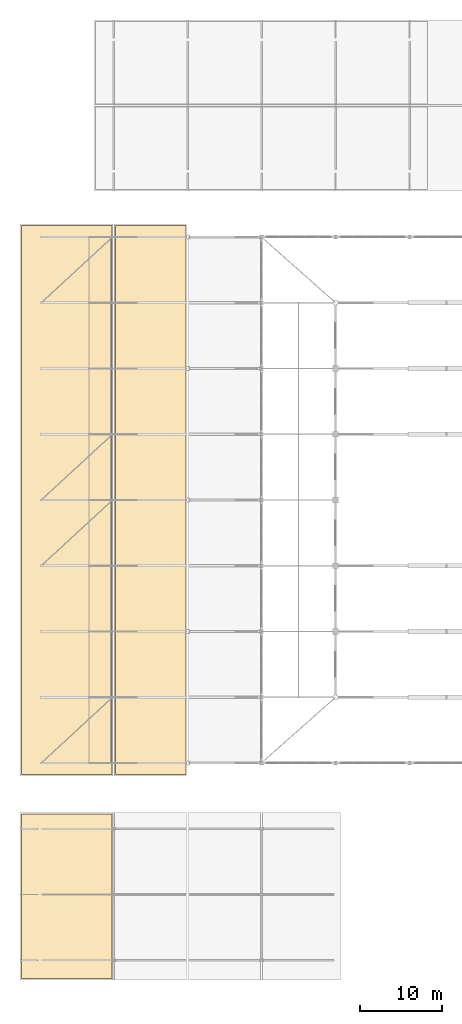
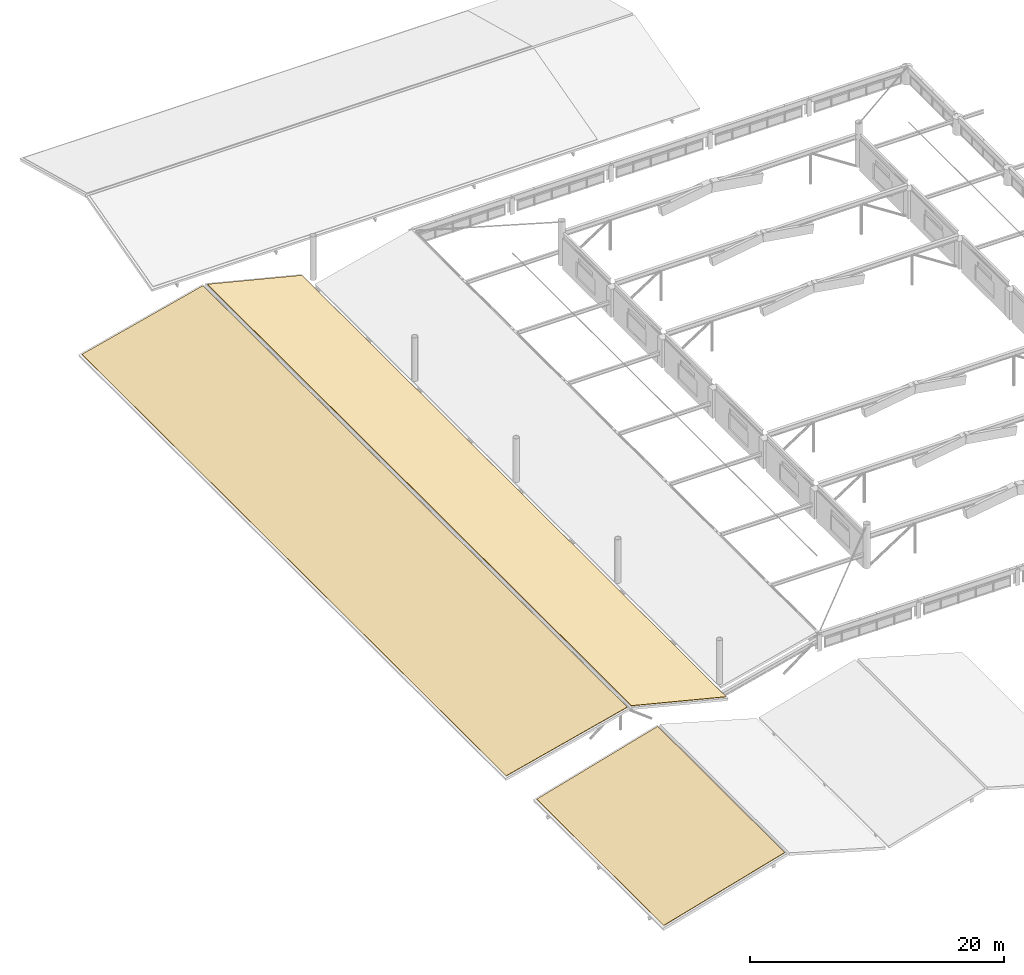
# One storey, part 121 of 128: 3 coverings.
"""IFC4 building model written with IfcOpenShell, lengths in metres."""

from ifc_helpers import new_model, si_unit, derived_unit, direction, frame, origin, place, context, subcontext, project, spatial, polyline, outline, extrude, material, layer, layer_set, type_object, element, save


model = new_model("IFC4")

# Units and contexts
model_context = context("Model", 3, precision=1e-05, world=origin(), true_north=direction((0.0, 1.0)))
body_context = subcontext(model_context, "Body", "Model", "MODEL_VIEW")
ifc_project = project(units=[si_unit("LENGTHUNIT", "METRE"), si_unit("AREAUNIT", "SQUARE_METRE"), si_unit("VOLUMEUNIT", "CUBIC_METRE"), si_unit("PLANEANGLEUNIT", "RADIAN"), si_unit("MASSUNIT", "GRAM", prefix="KILO"), derived_unit("THERMALTRANSMITTANCEUNIT", [(si_unit("MASSUNIT", "GRAM", prefix="KILO"), 1), (si_unit("TIMEUNIT", "SECOND"), -3), (si_unit("THERMODYNAMICTEMPERATUREUNIT", "KELVIN"), -1)])], contexts=[model_context])

# Site, building, storey
site_placement = place(None, origin())
site = spatial("IfcSite", under=ifc_project, at=site_placement, CompositionType="ELEMENT")
building_placement = place(site_placement, origin())
building = spatial("IfcBuilding", under=site, at=building_placement, Name="Zhenchuan Archway Interchange", CompositionType="ELEMENT")
storey_placement = place(building_placement, frame((0.0, 0.0, 14.39990234375)))
storey = spatial("IfcBuildingStorey", under=building, at=storey_placement, Name="L03", CompositionType="ELEMENT", Elevation=14.39990234375)

# Coverings
ifc_material = material(Name="Anodised Aluminium", Category="aluminium")
ifc_layer = layer(ifc_material, 0.0400390625)
ifc_layer_set = layer_set([ifc_layer], Name="Anodised Aluminium")
covering_type = type_object("IfcCoveringType", Name="COV_ROOF_METAL", PredefinedType="ROOFING", material=ifc_layer_set)
covering_1_placement = place(storey_placement, frame((-2.199951171875, 22.60009765625, -1.02978515625), z_axis=(-0.242535625036, 0.0, 0.970142500145), x_axis=(0.970142500145, 0.0, 0.242535625036)))
element("IfcCovering", 1, at=covering_1_placement, inside=storey, type_object=covering_type, Name="Roof weatherproofing covering COV:ROOF:BUS-W", PredefinedType="ROOFING", context=body_context, shape_type="SweptSolid", body=[
    extrude(outline(polyline([(0.0, 0.0), (11.338540470448566, 0.0), (11.338540470448566, 66.7998046875), (0.0, 66.7998046875), (0.0, 0.0)])), origin(), (0.0, 0.0, -1.0), 0.0400390625),
])
covering_2_placement = place(storey_placement, frame((9.199951171875, 22.60009765625, 1.72021484375), z_axis=(0.242548585218, 0.0, 0.970139260008), x_axis=(0.970139260008, 0.0, -0.242548585218)))
element("IfcCovering", 2, at=covering_2_placement, inside=storey, type_object=covering_type, Name="Roof weatherproofing covering COV:ROOF:BUS-M", PredefinedType="ROOFING", context=body_context, shape_type="SweptSolid", body=[
    extrude(outline(polyline([(0.0, 0.0), (8.864807364026976, 0.0), (8.864807364026976, 66.7998046875), (0.0, 66.7998046875), (0.0, 0.0)])), origin(), (0.0, 0.0, -1.0), 0.0400390625),
])
covering_3_placement = place(storey_placement, frame((-2.199951171875, -2.199951171875, -0.369873046875), z_axis=(-0.275625525436, 0.0, 0.961265088167), x_axis=(0.961265088167, 0.0, 0.275625525436)))
element("IfcCovering", 3, at=covering_3_placement, inside=storey, type_object=covering_type, Name="Roof weatherproofing covering COV:ROOF:CYC-1", PredefinedType="ROOFING", context=body_context, shape_type="SweptSolid", body=[
    extrude(outline(polyline([(0.0, 0.0), (11.443253411998635, 0.0), (11.443253411998635, 20.0), (0.0, 20.0), (0.0, 0.0)])), origin(), (0.0, 0.0, -1.0), 0.0400390625),
])

save(model, "model.ifc")
